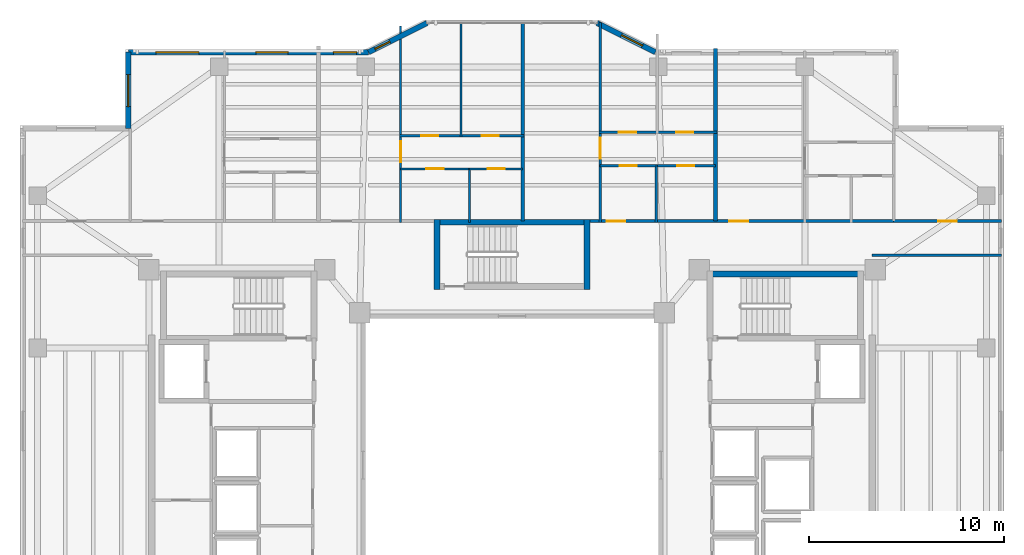
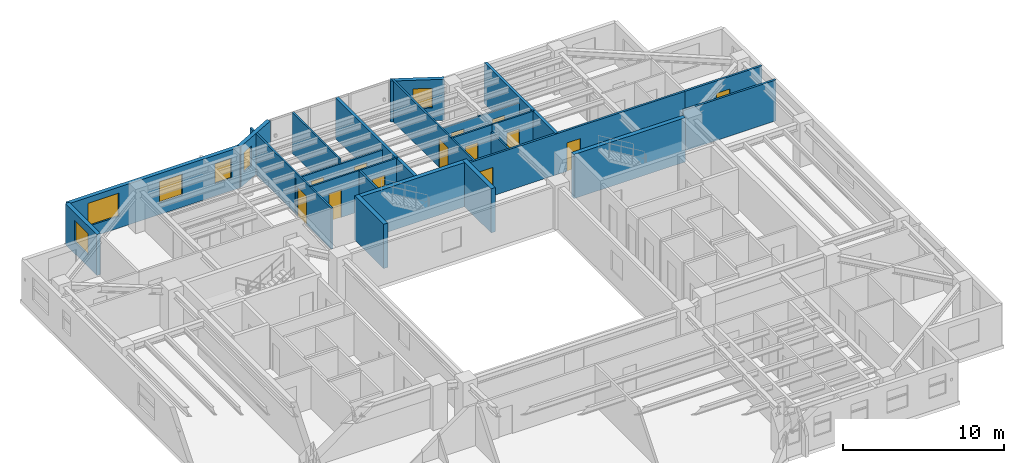
# One storey, part 10 of 16: 24 walls, 13 doors, 6 windows, 19 openings.
"""IFC4 building model written with IfcOpenShell, lengths in metres."""

from ifc_helpers import new_model, si_unit, direction, frame, frame_2d, origin, place, context, subcontext, project, spatial, rectangle, extrude, material, layer, layer_set, type_object, element, fill, save


model = new_model("IFC4")

# Units and contexts
model_context = context("Model", 3, precision=1e-05, world=origin(), true_north=direction((0.0, 1.0)))
body_context = subcontext(model_context, "Body", "Model", "MODEL_VIEW")
ifc_project = project(units=[si_unit("LENGTHUNIT", "METRE"), si_unit("AREAUNIT", "SQUARE_METRE"), si_unit("VOLUMEUNIT", "CUBIC_METRE"), si_unit("PLANEANGLEUNIT", "RADIAN"), si_unit("MASSUNIT", "GRAM", prefix="KILO")], contexts=[model_context])

# Site, building, storey
site_placement = place(None, origin())
site = spatial("IfcSite", under=ifc_project, at=site_placement, CompositionType="ELEMENT")
building_placement = place(site_placement, origin())
building = spatial("IfcBuilding", under=site, at=building_placement, Name="Tarnavaz Court Tower", CompositionType="ELEMENT")
storey_placement = place(building_placement, frame((0.0, 0.0, 156.050048828125)))
storey = spatial("IfcBuildingStorey", under=building, at=storey_placement, Name="L42", CompositionType="ELEMENT", Elevation=156.050048828125)

# Walls
ifc_material_1 = material(Name="Concrete C50/60", Category="concrete")
ifc_layer_1 = layer(ifc_material_1, 0.300048828125)
ifc_layer_set_1 = layer_set([ifc_layer_1], Name="Concrete C50/60")
wall_type_1 = type_object("IfcWallType", Name="WL-CORE-300-C50", PredefinedType="SHEAR", material=ifc_layer_set_1)
for number, where, z_axis, x_axis, name in (
    (1, (10.0, 9.7900390625, 0.0), (0.0, 0.0, 1.0), (1.0, 0.0, 0.0), "L42 East Stair Core Wall 005"),
    (2, (-4.0, 12.43994140625, 0.0), (0.0, 0.0, 1.0), (1.0, 0.0, 0.0), "L42 North Stair Core Wall 009"),
):
    element("IfcWall", number, at=place(storey_placement, frame(where, z_axis=z_axis, x_axis=x_axis)), inside=storey, type_object=wall_type_1, Name=name, PredefinedType="SHEAR", context=body_context, shape_type="SweptSolid", body=[
        extrude(rectangle(XDim=8.0, YDim=0.300048828125, at=frame_2d((4.0, 0.0))), origin(), (0.0, 0.0, 1.0), 3.349853515625),
    ])
for number, where, z_axis, x_axis, name in (
    (3, (-3.85009765625, 9.0, 0.0), (0.0, 0.0, 1.0), (0.0, 1.0, 0.0), "L42 North Stair Core Wall 011"),
    (4, (3.85009765625, 9.0, 0.0), (0.0, 0.0, 1.0), (0.0, 1.0, 0.0), "L42 North Stair Core Wall 012"),
):
    element("IfcWall", number, at=place(storey_placement, frame(where, z_axis=z_axis, x_axis=x_axis)), inside=storey, type_object=wall_type_1, Name=name, PredefinedType="SHEAR", context=body_context, shape_type="SweptSolid", body=[
        extrude(rectangle(XDim=3.590087890625, YDim=0.300048828125, at=frame_2d((1.794921875, 0.0))), origin(), (0.0, 0.0, 1.0), 3.349853515625),
    ])

# Wall, opening, window
ifc_material_2 = material(Name="Precast Concrete C40/50", Category="concrete")
ifc_layer_2 = layer(ifc_material_2, 0.280029296875)
ifc_layer_set_2 = layer_set([ifc_layer_2], Name="Precast Concrete C40/50")
wall_type_2 = type_object("IfcWallType", Name="WL-EXT-280", PredefinedType="SOLIDWALL", material=ifc_layer_set_2)
wall_1_placement = place(storey_placement, frame((-19.64990234375, 17.25, 0.0), z_axis=(0.0, 0.0, 1.0), x_axis=(0.0, 1.0, 0.0)))
wall_1 = element("IfcWall", 5, at=wall_1_placement, inside=storey, type_object=wall_type_2, Name="L42 Exterior Terracotta Facade Wall 04", PredefinedType="SOLIDWALL", context=body_context, shape_type="SweptSolid", body=[
    extrude(rectangle(XDim=3.89990234375, YDim=0.280029296875, at=frame_2d((1.949951171875, 0.0))), origin(), (0.0, 0.0, 1.0), 3.099853515625),
])
opening_1_placement = place(wall_1_placement, frame((1.107177734375, 0.0, 0.89990234375)))
opening_1 = element("IfcOpeningElement", 6, at=opening_1_placement, cuts=wall_1, Name="Opening W02", PredefinedType="OPENING", context=body_context, shape_type="SweptSolid", body=[
    extrude(rectangle(XDim=1.64990234375, YDim=1.60009765625, at=frame_2d((0.824951171875, 0.800048828125))), frame((0.0, 0.14990234375, 0.0), z_axis=(0.0, -1.0, 0.0), x_axis=(1.0, 0.0, 0.0)), (0.0, 0.0, 1.0), 0.300048828125),
])
ifc_material_3 = material(Name="Double-Glazed Solar Low-E Glass", Category="glass")
window_type_1 = type_object("IfcWindowType", Name="WN-APT-1650", PartitioningType="DOUBLE_PANEL_VERTICAL", PredefinedType="WINDOW", material=ifc_material_3)
window_1_placement = place(opening_1_placement, origin())
window_1 = element("IfcWindow", 7, at=window_1_placement, inside=storey, type_object=window_type_1, Name="L42 Flat 01 Living and Dining Room Window", OverallHeight=1.60009765625, OverallWidth=1.64990234375, PartitioningType="SINGLE_PANEL", PredefinedType="WINDOW", context=body_context, shape_type="SweptSolid", body=[
    extrude(rectangle(XDim=1.64990234375, YDim=1.60009765625, at=frame_2d((0.824951171875, 0.800048828125))), frame((0.0, 0.030029296875, 0.0), z_axis=(0.0, -1.0, 0.0), x_axis=(1.0, 0.0, 0.0)), (0.0, 0.0, 1.0), 0.06005859375),
])
fill(opening_1, window_1)

# Wall, openings, windows
wall_2_placement = place(storey_placement, frame((-19.64990234375, 21.14990234375, 0.0), z_axis=(0.0, 0.0, 1.0), x_axis=(1.0, 0.0, 0.0)))
wall_2 = element("IfcWall", 8, at=wall_2_placement, inside=storey, type_object=wall_type_2, Name="L42 Exterior Terracotta Facade Wall 05", PredefinedType="SOLIDWALL", context=body_context, shape_type="SweptSolid", body=[
    extrude(rectangle(XDim=12.2998046875, YDim=0.280029296875, at=frame_2d((6.14990234375, 0.0))), origin(), (0.0, 0.0, 1.0), 3.099853515625),
])
opening_2_placement = place(wall_2_placement, frame((1.41015625, 0.0, 0.89990234375)))
opening_2 = element("IfcOpeningElement", 9, at=opening_2_placement, cuts=wall_2, Name="Opening W07", PredefinedType="OPENING", context=body_context, shape_type="SweptSolid", body=[
    extrude(rectangle(XDim=2.199951171875, YDim=1.75, at=frame_2d((1.10009765625, 0.875))), frame((0.0, 0.14990234375, 0.0), z_axis=(0.0, -1.0, 0.0), x_axis=(1.0, 0.0, 0.0)), (0.0, 0.0, 1.0), 0.300048828125),
])
opening_3_placement = place(wall_2_placement, frame((6.52978515625, 0.0, 0.89990234375)))
opening_3 = element("IfcOpeningElement", 10, at=opening_3_placement, cuts=wall_2, Name="Opening W02", PredefinedType="OPENING", context=body_context, shape_type="SweptSolid", body=[
    extrude(rectangle(XDim=1.64990234375, YDim=1.60009765625, at=frame_2d((0.824951171875, 0.800048828125))), frame((0.0, 0.14990234375, 0.0), z_axis=(0.0, -1.0, 0.0), x_axis=(1.0, 0.0, 0.0)), (0.0, 0.0, 1.0), 0.300048828125),
])
opening_4_placement = place(wall_2_placement, frame((10.4951171875, 0.0, 0.949951171875)))
opening_4 = element("IfcOpeningElement", 11, at=opening_4_placement, cuts=wall_2, Name="Opening W05", PredefinedType="OPENING", context=body_context, shape_type="SweptSolid", body=[
    extrude(rectangle(XDim=1.199951171875, YDim=1.5, at=frame_2d((0.60009765625, 0.75))), frame((0.0, 0.14990234375, 0.0), z_axis=(0.0, -1.0, 0.0), x_axis=(1.0, 0.0, 0.0)), (0.0, 0.0, 1.0), 0.300048828125),
])
window_type_2 = type_object("IfcWindowType", Name="WN-APT-1200", PartitioningType="SINGLE_PANEL", PredefinedType="WINDOW", material=ifc_material_3)
window_2_placement = place(opening_4_placement, origin())
window_2 = element("IfcWindow", 12, at=window_2_placement, inside=storey, type_object=window_type_2, Name="L42 Flat 02 Living and Dining Room Window", OverallHeight=1.5, OverallWidth=1.199951171875, PartitioningType="SINGLE_PANEL", PredefinedType="WINDOW", context=body_context, shape_type="SweptSolid", body=[
    extrude(rectangle(XDim=1.199951171875, YDim=1.5, at=frame_2d((0.60009765625, 0.75))), frame((0.0, 0.030029296875, 0.0), z_axis=(0.0, -1.0, 0.0), x_axis=(1.0, 0.0, 0.0)), (0.0, 0.0, 1.0), 0.06005859375),
])
fill(opening_4, window_2)
window_3_placement = place(opening_3_placement, origin())
window_3 = element("IfcWindow", 13, at=window_3_placement, inside=storey, type_object=window_type_1, Name="L42 Flat 01 Bedroom 1 Window", OverallHeight=1.60009765625, OverallWidth=1.64990234375, PartitioningType="SINGLE_PANEL", PredefinedType="WINDOW", context=body_context, shape_type="SweptSolid", body=[
    extrude(rectangle(XDim=1.64990234375, YDim=1.60009765625, at=frame_2d((0.824951171875, 0.800048828125))), frame((0.0, 0.030029296875, 0.0), z_axis=(0.0, -1.0, 0.0), x_axis=(1.0, 0.0, 0.0)), (0.0, 0.0, 1.0), 0.06005859375),
])
fill(opening_3, window_3)
window_type_3 = type_object("IfcWindowType", Name="WN-APT-2200", PartitioningType="TRIPLE_PANEL_VERTICAL", PredefinedType="WINDOW", material=ifc_material_3)
window_4_placement = place(opening_2_placement, origin())
window_4 = element("IfcWindow", 14, at=window_4_placement, inside=storey, type_object=window_type_3, Name="L42 Flat 01 Living and Dining Room Window", OverallHeight=1.75, OverallWidth=2.199951171875, PartitioningType="SINGLE_PANEL", PredefinedType="WINDOW", context=body_context, shape_type="SweptSolid", body=[
    extrude(rectangle(XDim=2.199951171875, YDim=1.75, at=frame_2d((1.10009765625, 0.875))), frame((0.0, 0.030029296875, 0.0), z_axis=(0.0, -1.0, 0.0), x_axis=(1.0, 0.0, 0.0)), (0.0, 0.0, 1.0), 0.06005859375),
])
fill(opening_2, window_4)

# Wall, opening, window
wall_3_placement = place(storey_placement, frame((-7.35009765625, 21.14990234375, 0.0), z_axis=(0.0, 0.0, 1.0), x_axis=(0.894427191, 0.4472135955, 0.0)))
wall_3 = element("IfcWall", 15, at=wall_3_placement, inside=storey, type_object=wall_type_2, Name="L42 Exterior Terracotta Facade Wall 06", PredefinedType="SOLIDWALL", context=body_context, shape_type="SweptSolid", body=[
    extrude(rectangle(XDim=3.35400390625, YDim=0.280029296875, at=frame_2d((1.677001953125, 0.0))), origin(), (0.0, 0.0, 1.0), 3.099853515625),
])
opening_5_placement = place(wall_3_placement, frame((0.370849609375, 0.0, 0.949951171875)))
opening_5 = element("IfcOpeningElement", 16, at=opening_5_placement, cuts=wall_3, Name="Opening W15", PredefinedType="OPENING", context=body_context, shape_type="SweptSolid", body=[
    extrude(rectangle(XDim=0.85009765625, YDim=1.5, at=frame_2d((0.425048828125, 0.75))), frame((0.0, 0.14990234375, 0.0), z_axis=(0.0, -1.0, 0.0), x_axis=(1.0, 0.0, 0.0)), (0.0, 0.0, 1.0), 0.300048828125),
])
window_type_4 = type_object("IfcWindowType", Name="WN-APT-850", PartitioningType="SINGLE_PANEL", PredefinedType="WINDOW", material=ifc_material_3)
window_5_placement = place(opening_5_placement, origin())
window_5 = element("IfcWindow", 17, at=window_5_placement, inside=storey, type_object=window_type_4, Name="L42 Flat 02 Living and Dining Room Window", OverallHeight=1.5, OverallWidth=0.85009765625, PartitioningType="SINGLE_PANEL", PredefinedType="WINDOW", context=body_context, shape_type="SweptSolid", body=[
    extrude(rectangle(XDim=0.85009765625, YDim=1.5, at=frame_2d((0.425048828125, 0.75))), frame((0.0, 0.030029296875, 0.0), z_axis=(0.0, -1.0, 0.0), x_axis=(1.0, 0.0, 0.0)), (0.0, 0.0, 1.0), 0.06005859375),
])
fill(opening_5, window_5)

wall_4_placement = place(storey_placement, frame((4.35009765625, 22.64990234375, 0.0), z_axis=(0.0, 0.0, 1.0), x_axis=(0.894427191, -0.4472135955, 0.0)))
wall_4 = element("IfcWall", 18, at=wall_4_placement, inside=storey, type_object=wall_type_2, Name="L42 Exterior Terracotta Facade Wall 08", PredefinedType="SOLIDWALL", context=body_context, shape_type="SweptSolid", body=[
    extrude(rectangle(XDim=3.35400390625, YDim=0.280029296875, at=frame_2d((1.677001953125, 0.0))), origin(), (0.0, 0.0, 1.0), 3.099853515625),
])
opening_6_placement = place(wall_4_placement, frame((1.407470703125, 0.0, 0.949951171875)))
opening_6 = element("IfcOpeningElement", 19, at=opening_6_placement, cuts=wall_4, Name="Opening W05", PredefinedType="OPENING", context=body_context, shape_type="SweptSolid", body=[
    extrude(rectangle(XDim=1.199951171875, YDim=1.5, at=frame_2d((0.60009765625, 0.75))), frame((0.0, 0.14990234375, 0.0), z_axis=(0.0, -1.0, 0.0), x_axis=(1.0, 0.0, 0.0)), (0.0, 0.0, 1.0), 0.300048828125),
])
window_6_placement = place(opening_6_placement, origin())
window_6 = element("IfcWindow", 20, at=window_6_placement, inside=storey, type_object=window_type_2, Name="L42 Flat 03 Principal Bedroom Window", OverallHeight=1.5, OverallWidth=1.199951171875, PartitioningType="SINGLE_PANEL", PredefinedType="WINDOW", context=body_context, shape_type="SweptSolid", body=[
    extrude(rectangle(XDim=1.199951171875, YDim=1.5, at=frame_2d((0.60009765625, 0.75))), frame((0.0, 0.030029296875, 0.0), z_axis=(0.0, -1.0, 0.0), x_axis=(1.0, 0.0, 0.0)), (0.0, 0.0, 1.0), 0.06005859375),
])
fill(opening_6, window_6)

# Wall, openings, doors
ifc_material_4 = material(Name="Gypsum Fire-Board on Acoustic Metal Stud", Category="masonry")
ifc_layer_3 = layer(ifc_material_4, 0.14990234375)
ifc_layer_set_3 = layer_set([ifc_layer_3], Name="Gypsum Fire-Board on Acoustic Metal Stud")
wall_type_3 = type_object("IfcWallType", Name="WL-FIRE-150", PredefinedType="PARTITIONING", material=ifc_layer_set_3)
wall_5_placement = place(storey_placement, frame((3.85009765625, 12.5, 0.0), z_axis=(0.0, 0.0, 1.0), x_axis=(1.0, 0.0, 0.0)))
wall_5 = element("IfcWall", 21, at=wall_5_placement, inside=storey, type_object=wall_type_3, Name="L42 NE Wing Corridor Wall 072", PredefinedType="PARTITIONING", context=body_context, shape_type="SweptSolid", body=[
    extrude(rectangle(XDim=15.699951171875, YDim=0.14990234375, at=frame_2d((7.85009765625, 0.0))), origin(), (0.0, 0.0, 1.0), 3.099853515625),
])
opening_7_placement = place(wall_5_placement, frame((1.0, 0.0, 0.0)))
opening_7 = element("IfcOpeningElement", 22, at=opening_7_placement, cuts=wall_5, Name="Opening D06", PredefinedType="OPENING", context=body_context, shape_type="SweptSolid", body=[
    extrude(rectangle(XDim=0.9599609375, YDim=2.14990234375, at=frame_2d((0.47998046875, 1.074951171875))), frame((0.0, 0.0849609375, 0.0), z_axis=(0.0, -1.0, 0.0), x_axis=(1.0, 0.0, 0.0)), (0.0, 0.0, 1.0), 0.169921875),
])
opening_8_placement = place(wall_5_placement, frame((7.280029296875, 0.0, 0.0)))
opening_8 = element("IfcOpeningElement", 23, at=opening_8_placement, cuts=wall_5, Name="Opening D06", PredefinedType="OPENING", context=body_context, shape_type="SweptSolid", body=[
    extrude(rectangle(XDim=0.9599609375, YDim=2.14990234375, at=frame_2d((0.47998046875, 1.074951171875))), frame((0.0, 0.0849609375, 0.0), z_axis=(0.0, -1.0, 0.0), x_axis=(1.0, 0.0, 0.0)), (0.0, 0.0, 1.0), 0.169921875),
])
ifc_material_5 = material(Name="Fire-Rated Hardwood Timber Core", Category="wood")
door_type_1 = type_object("IfcDoorType", Name="DR-FD60-950", OperationType="NOTDEFINED", PredefinedType="DOOR", material=ifc_material_5)
door_1_placement = place(opening_7_placement, origin())
door_1 = element("IfcDoor", 24, at=door_1_placement, inside=storey, type_object=door_type_1, Name="L42 Flat 03 Entrance Door", OperationType="SINGLE_SWING_RIGHT", OverallHeight=2.14990234375, OverallWidth=0.9599609375, PredefinedType="DOOR", context=body_context, shape_type="SweptSolid", body=[
    extrude(rectangle(XDim=0.9599609375, YDim=2.14990234375, at=frame_2d((0.47998046875, 1.074951171875))), frame((0.0, 0.02490234375, 0.0), z_axis=(0.0, -1.0, 0.0), x_axis=(1.0, 0.0, 0.0)), (0.0, 0.0, 1.0), 0.050048828125),
])
fill(opening_7, door_1)
door_2_placement = place(opening_8_placement, origin())
door_2 = element("IfcDoor", 25, at=door_2_placement, inside=storey, type_object=door_type_1, Name="L42 Flat 04 Entrance Door", OperationType="SINGLE_SWING_RIGHT", OverallHeight=2.14990234375, OverallWidth=0.9599609375, PredefinedType="DOOR", context=body_context, shape_type="SweptSolid", body=[
    extrude(rectangle(XDim=0.9599609375, YDim=2.14990234375, at=frame_2d((0.47998046875, 1.074951171875))), frame((0.0, 0.02490234375, 0.0), z_axis=(0.0, -1.0, 0.0), x_axis=(1.0, 0.0, 0.0)), (0.0, 0.0, 1.0), 0.050048828125),
])
fill(opening_8, door_2)

# Wall
wall_6_placement = place(storey_placement, frame((18.449951171875, 10.75, 0.0), z_axis=(0.0, 0.0, 1.0), x_axis=(1.0, 0.0, 0.0)))
element("IfcWall", 26, at=wall_6_placement, inside=storey, type_object=wall_type_3, Name="L42 Interior Partition 121", PredefinedType="PARTITIONING", context=body_context, shape_type="SweptSolid", body=[
    extrude(rectangle(XDim=6.630126953125, YDim=0.14990234375, at=frame_2d((3.31494140625, 0.0))), origin(), (0.0, 0.0, 1.0), 3.099853515625),
])

# Wall, opening, door
wall_7_placement = place(storey_placement, frame((19.550048828125, 12.5, 0.0), z_axis=(0.0, 0.0, 1.0), x_axis=(1.0, 0.0, 0.0)))
wall_7 = element("IfcWall", 27, at=wall_7_placement, inside=storey, type_object=wall_type_3, Name="L42 Interior Partition 127", PredefinedType="PARTITIONING", context=body_context, shape_type="SweptSolid", body=[
    extrude(rectangle(XDim=5.530029296875, YDim=0.14990234375, at=frame_2d((2.76513671875, 0.0))), origin(), (0.0, 0.0, 1.0), 3.099853515625),
])
opening_9_placement = place(wall_7_placement, frame((2.2900390625, 0.0, 0.0)))
opening_9 = element("IfcOpeningElement", 28, at=opening_9_placement, cuts=wall_7, Name="Opening D13", PredefinedType="OPENING", context=body_context, shape_type="SweptSolid", body=[
    extrude(rectangle(XDim=0.949951171875, YDim=2.14990234375, at=frame_2d((0.47509765625, 1.074951171875))), frame((0.0, 0.0849609375, 0.0), z_axis=(0.0, -1.0, 0.0), x_axis=(1.0, 0.0, 0.0)), (0.0, 0.0, 1.0), 0.169921875),
])
ifc_material_6 = material(Name="Engineered Oak Timber", Category="wood")
door_type_2 = type_object("IfcDoorType", Name="DR-INT-950", OperationType="NOTDEFINED", PredefinedType="DOOR", material=ifc_material_6)
door_3_placement = place(opening_9_placement, origin())
door_3 = element("IfcDoor", 29, at=door_3_placement, inside=storey, type_object=door_type_2, Name="L42 NE Sunroom Door", OperationType="SINGLE_SWING_RIGHT", OverallHeight=2.14990234375, OverallWidth=0.949951171875, PredefinedType="DOOR", context=body_context, shape_type="SweptSolid", body=[
    extrude(rectangle(XDim=0.949951171875, YDim=2.14990234375, at=frame_2d((0.47509765625, 1.074951171875))), frame((0.0, 0.02490234375, 0.0), z_axis=(0.0, -1.0, 0.0), x_axis=(1.0, 0.0, 0.0)), (0.0, 0.0, 1.0), 0.050048828125),
])
fill(opening_9, door_3)

# Walls
ifc_material_7 = material(Name="Autoclaved Aerated Concrete Blockwork", Category="masonry")
ifc_layer_4 = layer(ifc_material_7, 0.199951171875)
ifc_layer_set_4 = layer_set([ifc_layer_4], Name="Autoclaved Aerated Concrete Blockwork")
wall_type_4 = type_object("IfcWallType", Name="WL-FIRE-200", PredefinedType="SOLIDWALL", material=ifc_layer_set_4)
wall_8_placement = place(storey_placement, frame((0.550048828125, 12.5, 0.0), z_axis=(0.0, 0.0, 1.0), x_axis=(0.0, 1.0, 0.0)))
element("IfcWall", 30, at=wall_8_placement, inside=storey, type_object=wall_type_4, Name="L42 North Center Party Wall 075", PredefinedType="SOLIDWALL", context=body_context, shape_type="SweptSolid", body=[
    extrude(rectangle(XDim=10.179931640625, YDim=0.199951171875, at=frame_2d((5.08984375, 0.0))), origin(), (0.0, 0.0, 1.0), 3.099853515625),
])
wall_9_placement = place(storey_placement, frame((10.429931640625, 12.5, 0.0), z_axis=(0.0, 0.0, 1.0), x_axis=(0.0, 1.0, 0.0)))
element("IfcWall", 31, at=wall_9_placement, inside=storey, type_object=wall_type_4, Name="L42 Party Wall 088", PredefinedType="SOLIDWALL", context=body_context, shape_type="SweptSolid", body=[
    extrude(rectangle(XDim=8.841064453125, YDim=0.199951171875, at=frame_2d((4.42041015625, 0.0))), origin(), (0.0, 0.0, 1.0), 3.099853515625),
])

# Wall, opening, door
ifc_material_8 = material(Name="Moisture-Resistant Gypsum Board Partition", Category="masonry")
ifc_layer_5 = layer(ifc_material_8, 0.1201171875)
ifc_layer_set_5 = layer_set([ifc_layer_5], Name="Moisture-Resistant Gypsum Board Partition")
wall_type_5 = type_object("IfcWallType", Name="WL-PART-120", PredefinedType="PARTITIONING", material=ifc_layer_set_5)
wall_10_placement = place(storey_placement, frame((-5.708984375, 12.43994140625, 0.0), z_axis=(0.0, 0.0, 1.0), x_axis=(0.0, 1.0, 0.0)))
wall_10 = element("IfcWall", 32, at=wall_10_placement, inside=storey, type_object=wall_type_5, Name="L42 Interior Partition 082", PredefinedType="PARTITIONING", context=body_context, shape_type="SweptSolid", body=[
    extrude(rectangle(XDim=10.06494140625, YDim=0.1201171875, at=frame_2d((5.032470703125, 0.0))), origin(), (0.0, 0.0, 1.0), 3.099853515625),
])
opening_10_placement = place(wall_10_placement, frame((3.074951171875, 0.0, 0.0)))
opening_10 = element("IfcOpeningElement", 33, at=opening_10_placement, cuts=wall_10, Name="Opening D12", PredefinedType="OPENING", context=body_context, shape_type="SweptSolid", body=[
    extrude(rectangle(XDim=1.080078125, YDim=2.14990234375, at=frame_2d((0.5400390625, 1.074951171875))), frame((0.0, 0.070068359375, 0.0), z_axis=(0.0, -1.0, 0.0), x_axis=(1.0, 0.0, 0.0)), (0.0, 0.0, 1.0), 0.14013671875),
])
door_type_3 = type_object("IfcDoorType", Name="DR-INT-1100", OperationType="NOTDEFINED", PredefinedType="DOOR", material=ifc_material_6)
door_4_placement = place(opening_10_placement, origin())
door_4 = element("IfcDoor", 34, at=door_4_placement, inside=storey, type_object=door_type_3, Name="L42 Flat 02 Foyer Door", OperationType="SINGLE_SWING_LEFT", OverallHeight=2.14990234375, OverallWidth=1.080078125, PredefinedType="DOOR", context=body_context, shape_type="SweptSolid", body=[
    extrude(rectangle(XDim=1.080078125, YDim=2.14990234375, at=frame_2d((0.5400390625, 1.074951171875))), frame((0.0, 0.02490234375, 0.0), z_axis=(0.0, -1.0, 0.0), x_axis=(1.0, 0.0, 0.0)), (0.0, 0.0, 1.0), 0.050048828125),
])
fill(opening_10, door_4)

wall_11_placement = place(storey_placement, frame((-5.708984375, 15.169921875, 0.0), z_axis=(0.0, 0.0, 1.0), x_axis=(1.0, 0.0, 0.0)))
wall_11 = element("IfcWall", 35, at=wall_11_placement, inside=storey, type_object=wall_type_5, Name="L42 Interior Partition 083", PredefinedType="PARTITIONING", context=body_context, shape_type="SweptSolid", body=[
    extrude(rectangle(XDim=3.532958984375, YDim=0.1201171875, at=frame_2d((1.7666015625, 0.0))), origin(), (0.0, 0.0, 1.0), 3.099853515625),
])
opening_11_placement = place(wall_11_placement, frame((1.325927734375, 0.0, 0.0)))
opening_11 = element("IfcOpeningElement", 36, at=opening_11_placement, cuts=wall_11, Name="Opening D14", PredefinedType="OPENING", context=body_context, shape_type="SweptSolid", body=[
    extrude(rectangle(XDim=0.8798828125, YDim=2.10009765625, at=frame_2d((0.43994140625, 1.050048828125))), frame((0.0, 0.070068359375, 0.0), z_axis=(0.0, -1.0, 0.0), x_axis=(1.0, 0.0, 0.0)), (0.0, 0.0, 1.0), 0.14013671875),
])
door_type_4 = type_object("IfcDoorType", Name="DR-INT-900", OperationType="NOTDEFINED", PredefinedType="DOOR", material=ifc_material_6)
door_5_placement = place(opening_11_placement, origin())
door_5 = element("IfcDoor", 37, at=door_5_placement, inside=storey, type_object=door_type_4, Name="L42 Flat 02 Kitchen Door", OperationType="SINGLE_SWING_RIGHT", OverallHeight=2.10009765625, OverallWidth=0.8798828125, PredefinedType="DOOR", context=body_context, shape_type="SweptSolid", body=[
    extrude(rectangle(XDim=0.8798828125, YDim=2.10009765625, at=frame_2d((0.43994140625, 1.050048828125))), frame((0.0, 0.02490234375, 0.0), z_axis=(0.0, -1.0, 0.0), x_axis=(1.0, 0.0, 0.0)), (0.0, 0.0, 1.0), 0.050048828125),
])
fill(opening_11, door_5)

wall_12_placement = place(storey_placement, frame((-2.176025390625, 15.169921875, 0.0), z_axis=(0.0, 0.0, 1.0), x_axis=(1.0, 0.0, 0.0)))
wall_12 = element("IfcWall", 38, at=wall_12_placement, inside=storey, type_object=wall_type_5, Name="L42 Interior Partition 084", PredefinedType="PARTITIONING", context=body_context, shape_type="SweptSolid", body=[
    extrude(rectangle(XDim=2.72607421875, YDim=0.1201171875, at=frame_2d((1.363037109375, 0.0))), origin(), (0.0, 0.0, 1.0), 3.099853515625),
])
opening_12_placement = place(wall_12_placement, frame((0.923095703125, 0.0, 0.0)))
opening_12 = element("IfcOpeningElement", 39, at=opening_12_placement, cuts=wall_12, Name="Opening D14", PredefinedType="OPENING", context=body_context, shape_type="SweptSolid", body=[
    extrude(rectangle(XDim=0.8798828125, YDim=2.10009765625, at=frame_2d((0.43994140625, 1.050048828125))), frame((0.0, 0.070068359375, 0.0), z_axis=(0.0, -1.0, 0.0), x_axis=(1.0, 0.0, 0.0)), (0.0, 0.0, 1.0), 0.14013671875),
])
door_6_placement = place(opening_12_placement, origin())
door_6 = element("IfcDoor", 40, at=door_6_placement, inside=storey, type_object=door_type_4, Name="L42 Flat 02 Bathroom Door", OperationType="SINGLE_SWING_LEFT", OverallHeight=2.10009765625, OverallWidth=0.8798828125, PredefinedType="DOOR", context=body_context, shape_type="SweptSolid", body=[
    extrude(rectangle(XDim=0.8798828125, YDim=2.10009765625, at=frame_2d((0.43994140625, 1.050048828125))), frame((0.0, 0.02490234375, 0.0), z_axis=(0.0, -1.0, 0.0), x_axis=(1.0, 0.0, 0.0)), (0.0, 0.0, 1.0), 0.050048828125),
])
fill(opening_12, door_6)

# Wall, openings, doors
wall_13_placement = place(storey_placement, frame((-5.76904296875, 16.8798828125, 0.0), z_axis=(0.0, 0.0, 1.0), x_axis=(1.0, 0.0, 0.0)))
wall_13 = element("IfcWall", 41, at=wall_13_placement, inside=storey, type_object=wall_type_5, Name="L42 Interior Partition 085", PredefinedType="PARTITIONING", context=body_context, shape_type="SweptSolid", body=[
    extrude(rectangle(XDim=6.379150390625, YDim=0.1201171875, at=frame_2d((3.189453125, 0.0))), origin(), (0.0, 0.0, 1.0), 2.68505859375),
])
opening_13_placement = place(wall_13_placement, frame((1.110107421875, 0.0, 0.0)))
opening_13 = element("IfcOpeningElement", 42, at=opening_13_placement, cuts=wall_13, Name="Opening D14", PredefinedType="OPENING", context=body_context, shape_type="SweptSolid", body=[
    extrude(rectangle(XDim=0.8798828125, YDim=2.10009765625, at=frame_2d((0.43994140625, 1.050048828125))), frame((0.0, 0.070068359375, 0.0), z_axis=(0.0, -1.0, 0.0), x_axis=(1.0, 0.0, 0.0)), (0.0, 0.0, 1.0), 0.14013671875),
])
opening_14_placement = place(wall_13_placement, frame((4.208984375, 0.0, 0.0)))
opening_14 = element("IfcOpeningElement", 43, at=opening_14_placement, cuts=wall_13, Name="Opening D14", PredefinedType="OPENING", context=body_context, shape_type="SweptSolid", body=[
    extrude(rectangle(XDim=0.8798828125, YDim=2.10009765625, at=frame_2d((0.43994140625, 1.050048828125))), frame((0.0, 0.070068359375, 0.0), z_axis=(0.0, -1.0, 0.0), x_axis=(1.0, 0.0, 0.0)), (0.0, 0.0, 1.0), 0.14013671875),
])
door_7_placement = place(opening_13_placement, origin())
door_7 = element("IfcDoor", 44, at=door_7_placement, inside=storey, type_object=door_type_4, Name="L42 Flat 02 Bedroom 1 Door", OperationType="SINGLE_SWING_RIGHT", OverallHeight=2.10009765625, OverallWidth=0.8798828125, PredefinedType="DOOR", context=body_context, shape_type="SweptSolid", body=[
    extrude(rectangle(XDim=0.8798828125, YDim=2.10009765625, at=frame_2d((0.43994140625, 1.050048828125))), frame((0.0, 0.02490234375, 0.0), z_axis=(0.0, -1.0, 0.0), x_axis=(1.0, 0.0, 0.0)), (0.0, 0.0, 1.0), 0.050048828125),
])
fill(opening_13, door_7)
door_8_placement = place(opening_14_placement, origin())
door_8 = element("IfcDoor", 45, at=door_8_placement, inside=storey, type_object=door_type_4, Name="L42 Flat 02 Bedroom 2 Door", OperationType="SINGLE_SWING_LEFT", OverallHeight=2.10009765625, OverallWidth=0.8798828125, PredefinedType="DOOR", context=body_context, shape_type="SweptSolid", body=[
    extrude(rectangle(XDim=0.8798828125, YDim=2.10009765625, at=frame_2d((0.43994140625, 1.050048828125))), frame((0.0, 0.02490234375, 0.0), z_axis=(0.0, -1.0, 0.0), x_axis=(1.0, 0.0, 0.0)), (0.0, 0.0, 1.0), 0.050048828125),
])
fill(opening_14, door_8)

# Walls
wall_14_placement = place(storey_placement, frame((-2.176025390625, 12.43994140625, 0.0), z_axis=(0.0, 0.0, 1.0), x_axis=(0.0, 1.0, 0.0)))
element("IfcWall", 46, at=wall_14_placement, inside=storey, type_object=wall_type_5, Name="L42 Interior Partition 086", PredefinedType="PARTITIONING", context=body_context, shape_type="SweptSolid", body=[
    extrude(rectangle(XDim=2.7900390625, YDim=0.1201171875, at=frame_2d((1.39501953125, 0.0))), origin(), (0.0, 0.0, 1.0), 3.099853515625),
])
wall_15_placement = place(storey_placement, frame((-2.60888671875, 16.820068359375, 0.0), z_axis=(0.0, 0.0, 1.0), x_axis=(0.0, 1.0, 0.0)))
element("IfcWall", 47, at=wall_15_placement, inside=storey, type_object=wall_type_5, Name="L42 Interior Partition 087", PredefinedType="PARTITIONING", context=body_context, shape_type="SweptSolid", body=[
    extrude(rectangle(XDim=5.85986328125, YDim=0.1201171875, at=frame_2d((2.929931640625, 0.0))), origin(), (0.0, 0.0, 1.0), 3.099853515625),
])

# Wall, opening, door
wall_16_placement = place(storey_placement, frame((4.513916015625, 12.43994140625, 0.0), z_axis=(0.0, 0.0, 1.0), x_axis=(0.0, 1.0, 0.0)))
wall_16 = element("IfcWall", 48, at=wall_16_placement, inside=storey, type_object=wall_type_5, Name="L42 Interior Partition 089", PredefinedType="PARTITIONING", context=body_context, shape_type="SweptSolid", body=[
    extrude(rectangle(XDim=10.239990234375, YDim=0.1201171875, at=frame_2d((5.1201171875, 0.0))), origin(), (0.0, 0.0, 1.0), 3.099853515625),
])
opening_15_placement = place(wall_16_placement, frame((3.2451171875, 0.0, 0.0)))
opening_15 = element("IfcOpeningElement", 49, at=opening_15_placement, cuts=wall_16, Name="Opening D12", PredefinedType="OPENING", context=body_context, shape_type="SweptSolid", body=[
    extrude(rectangle(XDim=1.080078125, YDim=2.14990234375, at=frame_2d((0.5400390625, 1.074951171875))), frame((0.0, 0.070068359375, 0.0), z_axis=(0.0, -1.0, 0.0), x_axis=(1.0, 0.0, 0.0)), (0.0, 0.0, 1.0), 0.14013671875),
])
door_9_placement = place(opening_15_placement, origin())
door_9 = element("IfcDoor", 50, at=door_9_placement, inside=storey, type_object=door_type_3, Name="L42 Flat 03 Foyer Door", OperationType="SINGLE_SWING_LEFT", OverallHeight=2.14990234375, OverallWidth=1.080078125, PredefinedType="DOOR", context=body_context, shape_type="SweptSolid", body=[
    extrude(rectangle(XDim=1.080078125, YDim=2.14990234375, at=frame_2d((0.5400390625, 1.074951171875))), frame((0.0, 0.02490234375, 0.0), z_axis=(0.0, -1.0, 0.0), x_axis=(1.0, 0.0, 0.0)), (0.0, 0.0, 1.0), 0.050048828125),
])
fill(opening_15, door_9)

wall_17_placement = place(storey_placement, frame((4.513916015625, 15.340087890625, 0.0), z_axis=(0.0, 0.0, 1.0), x_axis=(1.0, 0.0, 0.0)))
wall_17 = element("IfcWall", 51, at=wall_17_placement, inside=storey, type_object=wall_type_5, Name="L42 Interior Partition 090", PredefinedType="PARTITIONING", context=body_context, shape_type="SweptSolid", body=[
    extrude(rectangle(XDim=2.869140625, YDim=0.1201171875, at=frame_2d((1.4345703125, 0.0))), origin(), (0.0, 0.0, 1.0), 3.099853515625),
])
opening_16_placement = place(wall_17_placement, frame((0.993896484375, 0.0, 0.0)))
opening_16 = element("IfcOpeningElement", 52, at=opening_16_placement, cuts=wall_17, Name="Opening D14", PredefinedType="OPENING", context=body_context, shape_type="SweptSolid", body=[
    extrude(rectangle(XDim=0.8798828125, YDim=2.10009765625, at=frame_2d((0.43994140625, 1.050048828125))), frame((0.0, 0.070068359375, 0.0), z_axis=(0.0, -1.0, 0.0), x_axis=(1.0, 0.0, 0.0)), (0.0, 0.0, 1.0), 0.14013671875),
])
door_10_placement = place(opening_16_placement, origin())
door_10 = element("IfcDoor", 53, at=door_10_placement, inside=storey, type_object=door_type_4, Name="L42 Flat 03 Kitchen Door", OperationType="SINGLE_SWING_RIGHT", OverallHeight=2.10009765625, OverallWidth=0.8798828125, PredefinedType="DOOR", context=body_context, shape_type="SweptSolid", body=[
    extrude(rectangle(XDim=0.8798828125, YDim=2.10009765625, at=frame_2d((0.43994140625, 1.050048828125))), frame((0.0, 0.02490234375, 0.0), z_axis=(0.0, -1.0, 0.0), x_axis=(1.0, 0.0, 0.0)), (0.0, 0.0, 1.0), 0.050048828125),
])
fill(opening_16, door_10)

wall_18_placement = place(storey_placement, frame((7.383056640625, 15.340087890625, 0.0), z_axis=(0.0, 0.0, 1.0), x_axis=(1.0, 0.0, 0.0)))
wall_18 = element("IfcWall", 54, at=wall_18_placement, inside=storey, type_object=wall_type_5, Name="L42 Interior Partition 091", PredefinedType="PARTITIONING", context=body_context, shape_type="SweptSolid", body=[
    extrude(rectangle(XDim=3.046875, YDim=0.1201171875, at=frame_2d((1.5234375, 0.0))), origin(), (0.0, 0.0, 1.0), 3.099853515625),
])
opening_17_placement = place(wall_18_placement, frame((1.0830078125, 0.0, 0.0)))
opening_17 = element("IfcOpeningElement", 55, at=opening_17_placement, cuts=wall_18, Name="Opening D14", PredefinedType="OPENING", context=body_context, shape_type="SweptSolid", body=[
    extrude(rectangle(XDim=0.8798828125, YDim=2.10009765625, at=frame_2d((0.43994140625, 1.050048828125))), frame((0.0, 0.070068359375, 0.0), z_axis=(0.0, -1.0, 0.0), x_axis=(1.0, 0.0, 0.0)), (0.0, 0.0, 1.0), 0.14013671875),
])
door_11_placement = place(opening_17_placement, origin())
door_11 = element("IfcDoor", 56, at=door_11_placement, inside=storey, type_object=door_type_4, Name="L42 Flat 03 Bathroom Door", OperationType="SINGLE_SWING_LEFT", OverallHeight=2.10009765625, OverallWidth=0.8798828125, PredefinedType="DOOR", context=body_context, shape_type="SweptSolid", body=[
    extrude(rectangle(XDim=0.8798828125, YDim=2.10009765625, at=frame_2d((0.43994140625, 1.050048828125))), frame((0.0, 0.02490234375, 0.0), z_axis=(0.0, -1.0, 0.0), x_axis=(1.0, 0.0, 0.0)), (0.0, 0.0, 1.0), 0.050048828125),
])
fill(opening_17, door_11)

# Wall, openings, doors
wall_19_placement = place(storey_placement, frame((4.4541015625, 17.050048828125, 0.0), z_axis=(0.0, 0.0, 1.0), x_axis=(1.0, 0.0, 0.0)))
wall_19 = element("IfcWall", 57, at=wall_19_placement, inside=storey, type_object=wall_type_5, Name="L42 Interior Partition 092", PredefinedType="PARTITIONING", context=body_context, shape_type="SweptSolid", body=[
    extrude(rectangle(XDim=6.035888671875, YDim=0.1201171875, at=frame_2d((3.01806640625, 0.0))), origin(), (0.0, 0.0, 1.0), 2.68505859375),
])
opening_18_placement = place(wall_19_placement, frame((1.02392578125, 0.0, 0.0)))
opening_18 = element("IfcOpeningElement", 58, at=opening_18_placement, cuts=wall_19, Name="Opening D14", PredefinedType="OPENING", context=body_context, shape_type="SweptSolid", body=[
    extrude(rectangle(XDim=0.8798828125, YDim=2.10009765625, at=frame_2d((0.43994140625, 1.050048828125))), frame((0.0, 0.070068359375, 0.0), z_axis=(0.0, -1.0, 0.0), x_axis=(1.0, 0.0, 0.0)), (0.0, 0.0, 1.0), 0.14013671875),
])
opening_19_placement = place(wall_19_placement, frame((3.951904296875, 0.0, 0.0)))
opening_19 = element("IfcOpeningElement", 59, at=opening_19_placement, cuts=wall_19, Name="Opening D14", PredefinedType="OPENING", context=body_context, shape_type="SweptSolid", body=[
    extrude(rectangle(XDim=0.8798828125, YDim=2.10009765625, at=frame_2d((0.43994140625, 1.050048828125))), frame((0.0, 0.070068359375, 0.0), z_axis=(0.0, -1.0, 0.0), x_axis=(1.0, 0.0, 0.0)), (0.0, 0.0, 1.0), 0.14013671875),
])
door_12_placement = place(opening_18_placement, origin())
door_12 = element("IfcDoor", 60, at=door_12_placement, inside=storey, type_object=door_type_4, Name="L42 Flat 03 Bedroom 1 Door", OperationType="SINGLE_SWING_RIGHT", OverallHeight=2.10009765625, OverallWidth=0.8798828125, PredefinedType="DOOR", context=body_context, shape_type="SweptSolid", body=[
    extrude(rectangle(XDim=0.8798828125, YDim=2.10009765625, at=frame_2d((0.43994140625, 1.050048828125))), frame((0.0, 0.02490234375, 0.0), z_axis=(0.0, -1.0, 0.0), x_axis=(1.0, 0.0, 0.0)), (0.0, 0.0, 1.0), 0.050048828125),
])
fill(opening_18, door_12)
door_13_placement = place(opening_19_placement, origin())
door_13 = element("IfcDoor", 61, at=door_13_placement, inside=storey, type_object=door_type_4, Name="L42 Flat 03 Bedroom 2 Door", OperationType="SINGLE_SWING_LEFT", OverallHeight=2.10009765625, OverallWidth=0.8798828125, PredefinedType="DOOR", context=body_context, shape_type="SweptSolid", body=[
    extrude(rectangle(XDim=0.8798828125, YDim=2.10009765625, at=frame_2d((0.43994140625, 1.050048828125))), frame((0.0, 0.02490234375, 0.0), z_axis=(0.0, -1.0, 0.0), x_axis=(1.0, 0.0, 0.0)), (0.0, 0.0, 1.0), 0.050048828125),
])
fill(opening_19, door_13)

# Wall
wall_20_placement = place(storey_placement, frame((7.383056640625, 12.43994140625, 0.0), z_axis=(0.0, 0.0, 1.0), x_axis=(0.0, 1.0, 0.0)))
element("IfcWall", 62, at=wall_20_placement, inside=storey, type_object=wall_type_5, Name="L42 Interior Partition 093", PredefinedType="PARTITIONING", context=body_context, shape_type="SweptSolid", body=[
    extrude(rectangle(XDim=2.9599609375, YDim=0.1201171875, at=frame_2d((1.47998046875, 0.0))), origin(), (0.0, 0.0, 1.0), 2.5849609375),
])

save(model, "model.ifc")
